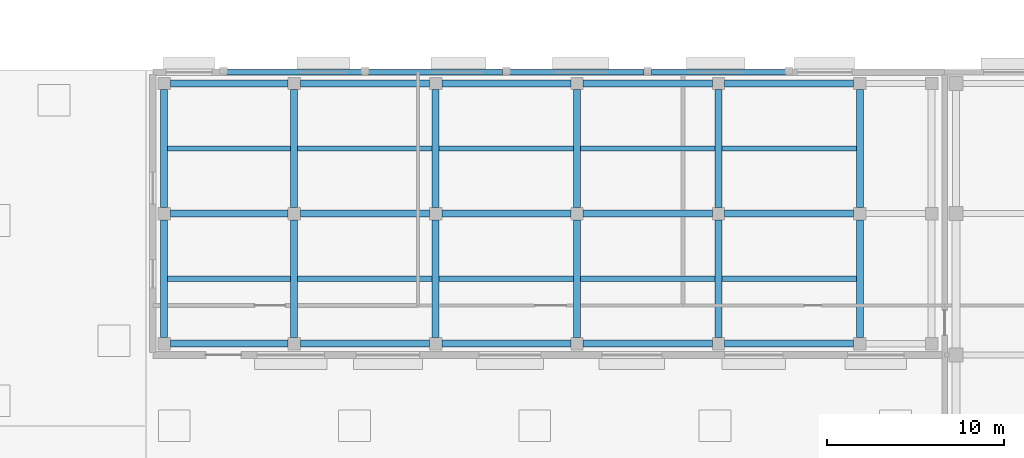
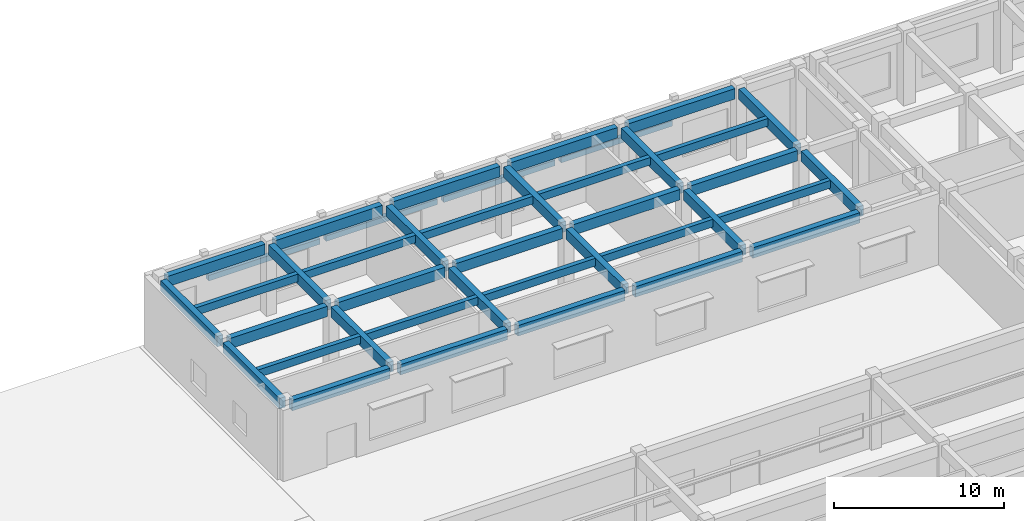
# One storey, part 16 of 46: 41 beams.
"""IFC4 building model written with IfcOpenShell, lengths in metres."""

from ifc_helpers import new_model, si_unit, direction, frame, origin, origin_2d, place, context, subcontext, project, spatial, rectangle, extrude, material, material_profile, profile_set, type_object, element, save


model = new_model("IFC4")

# Units and contexts
model_context = context("Model", 3, precision=1e-05, world=origin(), true_north=direction((0.0, 1.0)))
body_context = subcontext(model_context, "Body", "Model", "MODEL_VIEW")
ifc_project = project(units=[si_unit("LENGTHUNIT", "METRE"), si_unit("AREAUNIT", "SQUARE_METRE"), si_unit("VOLUMEUNIT", "CUBIC_METRE"), si_unit("PLANEANGLEUNIT", "RADIAN"), si_unit("MASSUNIT", "GRAM", prefix="KILO")], contexts=[model_context])

# Site, building, storey
site_placement = place(None, origin())
site = spatial("IfcSite", under=ifc_project, at=site_placement, CompositionType="ELEMENT")
building_placement = place(site_placement, origin())
building = spatial("IfcBuilding", under=site, at=building_placement, Name="Cinchona Park Media Centre", CompositionType="ELEMENT")
storey_placement = place(building_placement, origin())
storey = spatial("IfcBuildingStorey", under=building, at=storey_placement, Name="L00", CompositionType="ELEMENT", Elevation=0.0)

# Beams
ifc_material_1 = material(Name="Concrete C35/45", Category="concrete")
ifc_material_profile_1 = material_profile(ifc_material_1, rectangle(XDim=0.39990234375, YDim=0.75, at=origin_2d()), Name="RB 400X750")
ifc_profile_set_1 = profile_set([ifc_material_profile_1], Name="Concrete C35/45")
beam_type_1 = type_object("IfcBeamType", Name="BEAM-B01-RB400X750", PredefinedType="BEAM", material=ifc_profile_set_1)
beam_1_placement = place(storey_placement, frame((95.7900390625, 102.639892578125, 4.7451171875), z_axis=(1.0, 0.0, 0.0), x_axis=(0.0, 1.0, 0.0)))
element("IfcBeam", 1, at=beam_1_placement, inside=storey, type_object=beam_type_1, Name="Beam B01 L00", PredefinedType="BEAM", context=body_context, shape_type="SweptSolid", body=[
    extrude(rectangle(XDim=0.39990234375, YDim=0.75, at=origin_2d()), origin(), (0.0, 0.0, 1.0), 6.659912109375),
])
for number, where, z_axis, x_axis, name in (
    (2, (103.14990234375, 102.639892578125, 4.7451171875), (1.0, 0.0, 0.0), (0.0, 1.0, 0.0), "Beam B01 L00"),
    (3, (111.14990234375, 102.639892578125, 4.7451171875), (1.0, 0.0, 0.0), (0.0, 1.0, 0.0), "Beam B01 L00"),
    (4, (119.14990234375, 102.639892578125, 4.7451171875), (1.0, 0.0, 0.0), (0.0, 1.0, 0.0), "Beam B01 L00"),
    (5, (127.14990234375, 102.639892578125, 4.7451171875), (1.0, 0.0, 0.0), (0.0, 1.0, 0.0), "Beam B01 L00"),
):
    element("IfcBeam", number, at=place(storey_placement, frame(where, z_axis=z_axis, x_axis=x_axis)), inside=storey, type_object=beam_type_1, Name=name, PredefinedType="BEAM", context=body_context, shape_type="SweptSolid", body=[
        extrude(rectangle(XDim=0.39990234375, YDim=0.75, at=origin_2d()), origin(), (0.0, 0.0, 1.0), 7.300048828125),
    ])
beam_2_placement = place(storey_placement, frame((95.7900390625, 110.0, 4.7451171875), z_axis=(1.0, 0.0, 0.0), x_axis=(0.0, 1.0, 0.0)))
element("IfcBeam", 6, at=beam_2_placement, inside=storey, type_object=beam_type_1, Name="Beam B01 L00", PredefinedType="BEAM", context=body_context, shape_type="SweptSolid", body=[
    extrude(rectangle(XDim=0.39990234375, YDim=0.75, at=origin_2d()), origin(), (0.0, 0.0, 1.0), 6.659912109375),
])
for number, where, z_axis, x_axis, name in (
    (7, (103.14990234375, 110.0, 4.7451171875), (1.0, 0.0, 0.0), (0.0, 1.0, 0.0), "Beam B01 L00"),
    (8, (111.14990234375, 110.0, 4.7451171875), (1.0, 0.0, 0.0), (0.0, 1.0, 0.0), "Beam B01 L00"),
    (9, (119.14990234375, 110.0, 4.7451171875), (1.0, 0.0, 0.0), (0.0, 1.0, 0.0), "Beam B01 L00"),
    (10, (127.14990234375, 110.0, 4.7451171875), (1.0, 0.0, 0.0), (0.0, 1.0, 0.0), "Beam B01 L00"),
):
    element("IfcBeam", number, at=place(storey_placement, frame(where, z_axis=z_axis, x_axis=x_axis)), inside=storey, type_object=beam_type_1, Name=name, PredefinedType="BEAM", context=body_context, shape_type="SweptSolid", body=[
        extrude(rectangle(XDim=0.39990234375, YDim=0.75, at=origin_2d()), origin(), (0.0, 0.0, 1.0), 7.300048828125),
    ])
beam_3_placement = place(storey_placement, frame((95.7900390625, 117.360107421875, 4.7451171875), z_axis=(1.0, 0.0, 0.0), x_axis=(0.0, 1.0, 0.0)))
element("IfcBeam", 11, at=beam_3_placement, inside=storey, type_object=beam_type_1, Name="Beam B01 L00", PredefinedType="BEAM", context=body_context, shape_type="SweptSolid", body=[
    extrude(rectangle(XDim=0.39990234375, YDim=0.75, at=origin_2d()), origin(), (0.0, 0.0, 1.0), 6.659912109375),
])
for number, where, z_axis, x_axis, name in (
    (12, (103.14990234375, 117.360107421875, 4.7451171875), (1.0, 0.0, 0.0), (0.0, 1.0, 0.0), "Beam B01 L00"),
    (13, (111.14990234375, 117.360107421875, 4.7451171875), (1.0, 0.0, 0.0), (0.0, 1.0, 0.0), "Beam B01 L00"),
    (14, (119.14990234375, 117.360107421875, 4.7451171875), (1.0, 0.0, 0.0), (0.0, 1.0, 0.0), "Beam B01 L00"),
    (15, (127.14990234375, 117.360107421875, 4.7451171875), (1.0, 0.0, 0.0), (0.0, 1.0, 0.0), "Beam B01 L00"),
):
    element("IfcBeam", number, at=place(storey_placement, frame(where, z_axis=z_axis, x_axis=x_axis)), inside=storey, type_object=beam_type_1, Name=name, PredefinedType="BEAM", context=body_context, shape_type="SweptSolid", body=[
        extrude(rectangle(XDim=0.39990234375, YDim=0.75, at=origin_2d()), origin(), (0.0, 0.0, 1.0), 7.300048828125),
    ])
for number, where, z_axis, x_axis, name in (
    (16, (95.43994140625, 102.989990234375, 4.7451171875), (0.0, 1.0, 0.0), (-1.0, 0.0, 0.0), "Girder B01 L00"),
    (17, (95.43994140625, 110.35009765625, 4.7451171875), (0.0, 1.0, 0.0), (-1.0, 0.0, 0.0), "Girder B01 L00"),
    (18, (102.800048828125, 102.989990234375, 4.7451171875), (0.0, 1.0, 0.0), (-1.0, 0.0, 0.0), "Girder B01 L00"),
    (19, (102.800048828125, 110.35009765625, 4.7451171875), (0.0, 1.0, 0.0), (-1.0, 0.0, 0.0), "Girder B01 L00"),
    (20, (110.800048828125, 102.989990234375, 4.7451171875), (0.0, 1.0, 0.0), (-1.0, 0.0, 0.0), "Girder B01 L00"),
    (21, (110.800048828125, 110.35009765625, 4.7451171875), (0.0, 1.0, 0.0), (-1.0, 0.0, 0.0), "Girder B01 L00"),
    (22, (118.800048828125, 102.989990234375, 4.7451171875), (0.0, 1.0, 0.0), (-1.0, 0.0, 0.0), "Girder B01 L00"),
    (23, (118.800048828125, 110.35009765625, 4.7451171875), (0.0, 1.0, 0.0), (-1.0, 0.0, 0.0), "Girder B01 L00"),
    (24, (126.800048828125, 102.989990234375, 4.7451171875), (0.0, 1.0, 0.0), (-1.0, 0.0, 0.0), "Girder B01 L00"),
    (25, (126.800048828125, 110.35009765625, 4.7451171875), (0.0, 1.0, 0.0), (-1.0, 0.0, 0.0), "Girder B01 L00"),
    (26, (134.800048828125, 102.989990234375, 4.7451171875), (0.0, 1.0, 0.0), (-1.0, 0.0, 0.0), "Girder B01 L00"),
    (27, (134.800048828125, 110.35009765625, 4.7451171875), (0.0, 1.0, 0.0), (-1.0, 0.0, 0.0), "Girder B01 L00"),
):
    element("IfcBeam", number, at=place(storey_placement, frame(where, z_axis=z_axis, x_axis=x_axis)), inside=storey, type_object=beam_type_1, Name=name, PredefinedType="BEAM", context=body_context, shape_type="SweptSolid", body=[
        extrude(rectangle(XDim=0.39990234375, YDim=0.75, at=origin_2d()), origin(), (0.0, 0.0, 1.0), 6.659912109375),
    ])
ifc_material_2 = material(Name="Concrete C35/45", Category="concrete")
ifc_material_profile_2 = material_profile(ifc_material_2, rectangle(XDim=0.300048828125, YDim=0.550048828125, at=origin_2d()), Name="RB 300X550")
ifc_profile_set_2 = profile_set([ifc_material_profile_2], Name="Concrete C35/45")
beam_type_2 = type_object("IfcBeamType", Name="BEAM-J01-RB300X550", PredefinedType="JOIST", material=ifc_profile_set_2)
for number, where, z_axis, x_axis, name in (
    (28, (95.639892578125, 106.320068359375, 4.844970703125), (1.0, 0.0, 0.0), (0.0, 1.0, 0.0), "Floor Joist J01 L00"),
    (29, (95.639892578125, 113.679931640625, 4.844970703125), (1.0, 0.0, 0.0), (0.0, 1.0, 0.0), "Floor Joist J01 L00"),
):
    element("IfcBeam", number, at=place(storey_placement, frame(where, z_axis=z_axis, x_axis=x_axis)), inside=storey, type_object=beam_type_2, Name=name, PredefinedType="JOIST", context=body_context, shape_type="SweptSolid", body=[
        extrude(rectangle(XDim=0.300048828125, YDim=0.550048828125, at=origin_2d()), origin(), (0.0, 0.0, 1.0), 6.960205078125),
    ])
for number, where, z_axis, x_axis, name in (
    (30, (103.0, 106.320068359375, 4.844970703125), (1.0, 0.0, 0.0), (0.0, 1.0, 0.0), "Floor Joist J01 L00"),
    (31, (103.0, 113.679931640625, 4.844970703125), (1.0, 0.0, 0.0), (0.0, 1.0, 0.0), "Floor Joist J01 L00"),
    (32, (111.0, 106.320068359375, 4.844970703125), (1.0, 0.0, 0.0), (0.0, 1.0, 0.0), "Floor Joist J01 L00"),
    (33, (111.0, 113.679931640625, 4.844970703125), (1.0, 0.0, 0.0), (0.0, 1.0, 0.0), "Floor Joist J01 L00"),
    (34, (119.0, 106.320068359375, 4.844970703125), (1.0, 0.0, 0.0), (0.0, 1.0, 0.0), "Floor Joist J01 L00"),
    (35, (119.0, 113.679931640625, 4.844970703125), (1.0, 0.0, 0.0), (0.0, 1.0, 0.0), "Floor Joist J01 L00"),
    (36, (127.0, 106.320068359375, 4.844970703125), (1.0, 0.0, 0.0), (0.0, 1.0, 0.0), "Floor Joist J01 L00"),
    (37, (127.0, 113.679931640625, 4.844970703125), (1.0, 0.0, 0.0), (0.0, 1.0, 0.0), "Floor Joist J01 L00"),
):
    element("IfcBeam", number, at=place(storey_placement, frame(where, z_axis=z_axis, x_axis=x_axis)), inside=storey, type_object=beam_type_2, Name=name, PredefinedType="JOIST", context=body_context, shape_type="SweptSolid", body=[
        extrude(rectangle(XDim=0.300048828125, YDim=0.550048828125, at=origin_2d()), origin(), (0.0, 0.0, 1.0), 7.60009765625),
    ])
ifc_material_3 = material(Name="Concrete C35/45", Category="concrete")
ifc_material_profile_3 = material_profile(ifc_material_3, rectangle(XDim=0.300048828125, YDim=0.39990234375, at=origin_2d()), Name="RL 300X400")
ifc_profile_set_3 = profile_set([ifc_material_profile_3], Name="Concrete C35/45")
beam_type_3 = type_object("IfcBeamType", Name="BEAM-LN02-RL300X400", PredefinedType="LINTEL", material=ifc_profile_set_3)
for number, where, z_axis, x_axis, name in (
    (38, (99.0048828125, 118.0, 3.449951171875), (1.0, 0.0, 0.0), (0.0, 1.0, 0.0), "Window Lintel LN02"),
    (39, (107.0048828125, 118.0, 3.5), (1.0, 0.0, 0.0), (0.0, 1.0, 0.0), "Window Lintel LN02"),
    (40, (115.0048828125, 118.0, 3.5), (1.0, 0.0, 0.0), (0.0, 1.0, 0.0), "Window Lintel LN02"),
    (41, (123.0048828125, 118.0, 3.550048828125), (1.0, 0.0, 0.0), (0.0, 1.0, 0.0), "Window Lintel LN02"),
):
    element("IfcBeam", number, at=place(storey_placement, frame(where, z_axis=z_axis, x_axis=x_axis)), inside=storey, type_object=beam_type_3, Name=name, PredefinedType="LINTEL", context=body_context, shape_type="SweptSolid", body=[
        extrude(rectangle(XDim=0.300048828125, YDim=0.39990234375, at=origin_2d()), origin(), (0.0, 0.0, 1.0), 7.590087890625),
    ])

save(model, "model.ifc")
